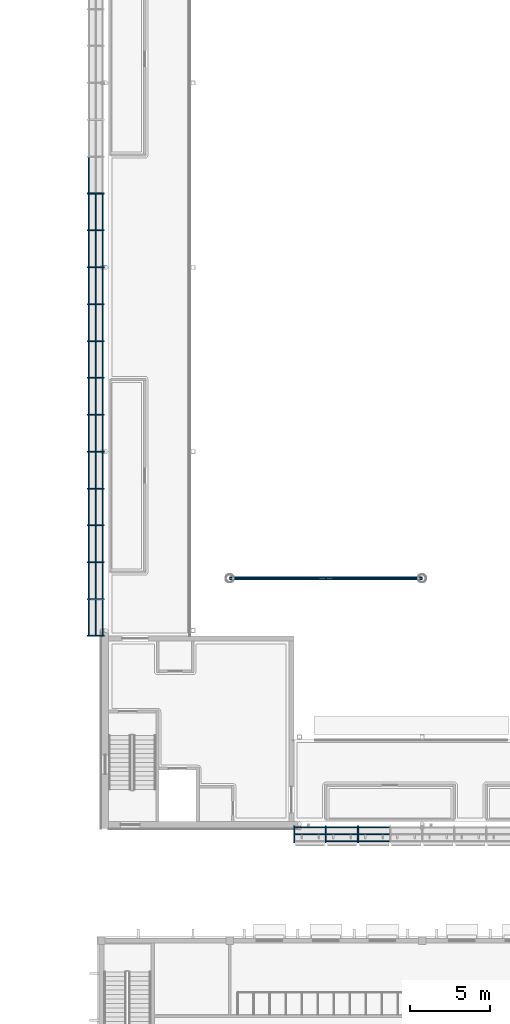
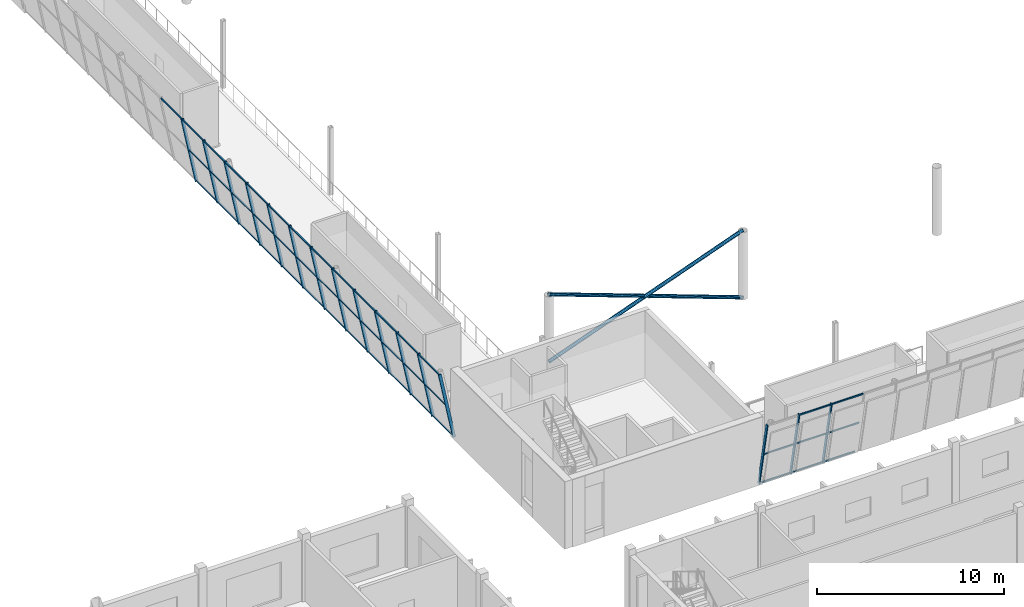
# One storey, part 27 of 115: 64 members, 2 elements without a shape of their own.
"""IFC4 building model written with IfcOpenShell, lengths in metres."""

from ifc_helpers import new_model, si_unit, direction, frame, origin, origin_2d, place, context, subcontext, project, spatial, rectangle, hollow_circle, extrude, material, layer, layer_set, material_profile, profile_set, type_object, element, aggregate, save


model = new_model("IFC4")

# Units and contexts
model_context = context("Model", 3, precision=1e-05, world=origin(), true_north=direction((0.0, 1.0)))
body_context = subcontext(model_context, "Body", "Model", "MODEL_VIEW")
ifc_project = project(units=[si_unit("LENGTHUNIT", "METRE"), si_unit("AREAUNIT", "SQUARE_METRE"), si_unit("VOLUMEUNIT", "CUBIC_METRE"), si_unit("PLANEANGLEUNIT", "RADIAN"), si_unit("MASSUNIT", "GRAM", prefix="KILO")], contexts=[model_context])

# Site, building, storey
site_placement = place(None, origin())
site = spatial("IfcSite", under=ifc_project, at=site_placement, CompositionType="ELEMENT")
building_placement = place(site_placement, origin())
building = spatial("IfcBuilding", under=site, at=building_placement, Name="Windward Yard Aquatics Centre", CompositionType="ELEMENT")
storey_placement = place(building_placement, frame((0.0, 0.0, 5.0)))
storey = spatial("IfcBuildingStorey", under=building, at=storey_placement, Name="L01", CompositionType="ELEMENT", Elevation=5.0)

# Curtain wall, members
ifc_material_1 = material(Name="Glass and aluminium curtain wall", Category="aluminium")
ifc_layer = layer(ifc_material_1, 0.179931640625)
ifc_layer_set = layer_set([ifc_layer], Name="H curtain wall tier 1 double glazed 8+16+8")
curtain_wall_type = type_object("IfcCurtainWallType", Name="H curtain wall tier 1 double glazed 8+16+8", PredefinedType="NOTDEFINED", material=ifc_layer_set)
curtain_wall_1_placement = place(storey_placement, origin())
curtain_wall_1 = element("IfcCurtainWall", 1, at=curtain_wall_1_placement, inside=storey, type_object=curtain_wall_type, Name="Tier 1 glazing S L01", PredefinedType="NOTDEFINED")
ifc_material_2 = material(Name="Aluminium 6063-T6 anodised", Category="aluminium")
ifc_material_profile_1 = material_profile(ifc_material_2, rectangle(XDim=0.06494140625, YDim=0.179931640625, at=origin_2d()), Name="H CW mullion 65x180")
ifc_profile_set_1 = profile_set([ifc_material_profile_1], Name="Aluminium 6063-T6 anodised")
member_type_1 = type_object("IfcMemberType", Name="H CW mullion 65x180", PredefinedType="MULLION", material=ifc_profile_set_1)
member_1_placement = place(storey_placement, frame((64.032470703125, 26.088134765625, 0.017822265625), z_axis=(0.0, -0.199380237329, 0.979922201485), x_axis=(1.0, 0.0, 0.0)))
member_1 = element("IfcMember", 2, at=member_1_placement, type_object=member_type_1, Name="G1SA mullion 1", PredefinedType="MULLION", context=body_context, shape_type="SweptSolid", body=[
    extrude(rectangle(XDim=0.06494140625, YDim=0.179931640625, at=origin_2d()), origin(), (0.0, 0.0, 1.0), 4.471923828125),
])
member_2_placement = place(storey_placement, frame((65.999755859375, 26.088134765625, 0.017822265625), z_axis=(0.0, -0.199380237329, 0.979922201485), x_axis=(1.0, 0.0, 0.0)))
member_2 = element("IfcMember", 3, at=member_2_placement, type_object=member_type_1, Name="G1SA mullion 2", PredefinedType="MULLION", context=body_context, shape_type="SweptSolid", body=[
    extrude(rectangle(XDim=0.06494140625, YDim=0.179931640625, at=origin_2d()), origin(), (0.0, 0.0, 1.0), 4.471923828125),
])
member_3_placement = place(storey_placement, frame((67.99951171875, 26.088134765625, 0.017822265625), z_axis=(0.0, -0.199380237329, 0.979922201485), x_axis=(1.0, 0.0, 0.0)))
member_3 = element("IfcMember", 4, at=member_3_placement, type_object=member_type_1, Name="G1SA mullion 3", PredefinedType="MULLION", context=body_context, shape_type="SweptSolid", body=[
    extrude(rectangle(XDim=0.06494140625, YDim=0.179931640625, at=origin_2d()), origin(), (0.0, 0.0, 1.0), 4.471923828125),
])

curtain_wall_2_placement = place(storey_placement, origin())
curtain_wall_2 = element("IfcCurtainWall", 5, at=curtain_wall_2_placement, inside=storey, type_object=curtain_wall_type, Name="Tier 1 glazing W L01", PredefinedType="NOTDEFINED")
member_4_placement = place(storey_placement, frame((52.088134765625, 38.032470703125, 0.017822265625), z_axis=(-0.199380237329, 0.0, 0.979922201485), x_axis=(0.0, -1.0, 0.0)))
member_4 = element("IfcMember", 6, at=member_4_placement, type_object=member_type_1, Name="G1WA mullion 1", PredefinedType="MULLION", context=body_context, shape_type="SweptSolid", body=[
    extrude(rectangle(XDim=0.06494140625, YDim=0.179931640625, at=origin_2d()), origin(), (0.0, 0.0, 1.0), 4.471923828125),
])
member_5_placement = place(storey_placement, frame((52.088134765625, 40.300048828125, 0.017822265625), z_axis=(-0.199380237329, 0.0, 0.979922201485), x_axis=(0.0, -1.0, 0.0)))
member_5 = element("IfcMember", 7, at=member_5_placement, type_object=member_type_1, Name="G1WA mullion 2", PredefinedType="MULLION", context=body_context, shape_type="SweptSolid", body=[
    extrude(rectangle(XDim=0.06494140625, YDim=0.179931640625, at=origin_2d()), origin(), (0.0, 0.0, 1.0), 4.471923828125),
])
member_6_placement = place(storey_placement, frame((52.088134765625, 42.60009765625, 0.017822265625), z_axis=(-0.199380237329, 0.0, 0.979922201485), x_axis=(0.0, -1.0, 0.0)))
member_6 = element("IfcMember", 8, at=member_6_placement, type_object=member_type_1, Name="G1WA mullion 3", PredefinedType="MULLION", context=body_context, shape_type="SweptSolid", body=[
    extrude(rectangle(XDim=0.06494140625, YDim=0.179931640625, at=origin_2d()), origin(), (0.0, 0.0, 1.0), 4.471923828125),
])
member_7_placement = place(storey_placement, frame((52.088134765625, 44.89990234375, 0.017822265625), z_axis=(-0.199380237329, 0.0, 0.979922201485), x_axis=(0.0, -1.0, 0.0)))
member_7 = element("IfcMember", 9, at=member_7_placement, type_object=member_type_1, Name="G1WA mullion 4", PredefinedType="MULLION", context=body_context, shape_type="SweptSolid", body=[
    extrude(rectangle(XDim=0.06494140625, YDim=0.179931640625, at=origin_2d()), origin(), (0.0, 0.0, 1.0), 4.471923828125),
])
member_8_placement = place(storey_placement, frame((52.088134765625, 47.199951171875, 0.017822265625), z_axis=(-0.199380237329, 0.0, 0.979922201485), x_axis=(0.0, -1.0, 0.0)))
member_8 = element("IfcMember", 10, at=member_8_placement, type_object=member_type_1, Name="G1WA mullion 5", PredefinedType="MULLION", context=body_context, shape_type="SweptSolid", body=[
    extrude(rectangle(XDim=0.06494140625, YDim=0.179931640625, at=origin_2d()), origin(), (0.0, 0.0, 1.0), 4.471923828125),
])
member_9_placement = place(storey_placement, frame((52.088134765625, 49.5, 0.017822265625), z_axis=(-0.199380237329, 0.0, 0.979922201485), x_axis=(0.0, -1.0, 0.0)))
member_9 = element("IfcMember", 11, at=member_9_placement, type_object=member_type_1, Name="G1WA mullion 6", PredefinedType="MULLION", context=body_context, shape_type="SweptSolid", body=[
    extrude(rectangle(XDim=0.06494140625, YDim=0.179931640625, at=origin_2d()), origin(), (0.0, 0.0, 1.0), 4.471923828125),
])
member_10_placement = place(storey_placement, frame((52.088134765625, 51.800048828125, 0.017822265625), z_axis=(-0.199380237329, 0.0, 0.979922201485), x_axis=(0.0, -1.0, 0.0)))
member_10 = element("IfcMember", 12, at=member_10_placement, type_object=member_type_1, Name="G1WA mullion 7", PredefinedType="MULLION", context=body_context, shape_type="SweptSolid", body=[
    extrude(rectangle(XDim=0.06494140625, YDim=0.179931640625, at=origin_2d()), origin(), (0.0, 0.0, 1.0), 4.471923828125),
])
member_11_placement = place(storey_placement, frame((52.088134765625, 54.10009765625, 0.017822265625), z_axis=(-0.199380237329, 0.0, 0.979922201485), x_axis=(0.0, -1.0, 0.0)))
member_11 = element("IfcMember", 13, at=member_11_placement, type_object=member_type_1, Name="G1WA mullion 8", PredefinedType="MULLION", context=body_context, shape_type="SweptSolid", body=[
    extrude(rectangle(XDim=0.06494140625, YDim=0.179931640625, at=origin_2d()), origin(), (0.0, 0.0, 1.0), 4.471923828125),
])
member_12_placement = place(storey_placement, frame((52.088134765625, 56.39990234375, 0.017822265625), z_axis=(-0.199380237329, 0.0, 0.979922201485), x_axis=(0.0, -1.0, 0.0)))
member_12 = element("IfcMember", 14, at=member_12_placement, type_object=member_type_1, Name="G1WA mullion 9", PredefinedType="MULLION", context=body_context, shape_type="SweptSolid", body=[
    extrude(rectangle(XDim=0.06494140625, YDim=0.179931640625, at=origin_2d()), origin(), (0.0, 0.0, 1.0), 4.471923828125),
])
member_13_placement = place(storey_placement, frame((52.088134765625, 58.699951171875, 0.017822265625), z_axis=(-0.199380237329, 0.0, 0.979922201485), x_axis=(0.0, -1.0, 0.0)))
member_13 = element("IfcMember", 15, at=member_13_placement, type_object=member_type_1, Name="G1WA mullion 10", PredefinedType="MULLION", context=body_context, shape_type="SweptSolid", body=[
    extrude(rectangle(XDim=0.06494140625, YDim=0.179931640625, at=origin_2d()), origin(), (0.0, 0.0, 1.0), 4.471923828125),
])
member_14_placement = place(storey_placement, frame((52.088134765625, 61.0, 0.017822265625), z_axis=(-0.199380237329, 0.0, 0.979922201485), x_axis=(0.0, -1.0, 0.0)))
member_14 = element("IfcMember", 16, at=member_14_placement, type_object=member_type_1, Name="G1WA mullion 11", PredefinedType="MULLION", context=body_context, shape_type="SweptSolid", body=[
    extrude(rectangle(XDim=0.06494140625, YDim=0.179931640625, at=origin_2d()), origin(), (0.0, 0.0, 1.0), 4.471923828125),
])
member_15_placement = place(storey_placement, frame((52.088134765625, 63.300048828125, 0.017822265625), z_axis=(-0.199380237329, 0.0, 0.979922201485), x_axis=(0.0, -1.0, 0.0)))
member_15 = element("IfcMember", 17, at=member_15_placement, type_object=member_type_1, Name="G1WA mullion 12", PredefinedType="MULLION", context=body_context, shape_type="SweptSolid", body=[
    extrude(rectangle(XDim=0.06494140625, YDim=0.179931640625, at=origin_2d()), origin(), (0.0, 0.0, 1.0), 4.471923828125),
])
member_16_placement = place(storey_placement, frame((52.088134765625, 65.60009765625, 0.017822265625), z_axis=(-0.199380237329, 0.0, 0.979922201485), x_axis=(0.0, -1.0, 0.0)))
member_16 = element("IfcMember", 18, at=member_16_placement, type_object=member_type_1, Name="G1WA mullion 13", PredefinedType="MULLION", context=body_context, shape_type="SweptSolid", body=[
    extrude(rectangle(XDim=0.06494140625, YDim=0.179931640625, at=origin_2d()), origin(), (0.0, 0.0, 1.0), 4.471923828125),
])

# Member
ifc_material_profile_2 = material_profile(ifc_material_2, rectangle(XDim=0.06494140625, YDim=0.10009765625, at=origin_2d()), Name="H CW transom 65x100")
ifc_profile_set_2 = profile_set([ifc_material_profile_2], Name="Aluminium 6063-T6 anodised")
member_type_2 = type_object("IfcMemberType", Name="H CW transom 65x100", PredefinedType="USERDEFINED", material=ifc_profile_set_2)
member_17_placement = place(storey_placement, frame((64.06494140625, 26.08056640625, 0.055419921875), z_axis=(1.0, 0.0, 0.0), x_axis=(0.0, 0.979924704642, 0.199367934315)))
member_17 = element("IfcMember", 19, at=member_17_placement, type_object=member_type_2, Name="G1SA transom 1.1", ObjectType="TRANSOM", PredefinedType="USERDEFINED", context=body_context, shape_type="SweptSolid", body=[
    extrude(rectangle(XDim=0.06494140625, YDim=0.10009765625, at=origin_2d()), origin(), (0.0, 0.0, 1.0), 1.90234375),
])

member_18_placement = place(storey_placement, frame((64.06494140625, 25.644287109375, 2.199951171875), z_axis=(1.0, 0.0, 0.0), x_axis=(0.0, 0.979924704642, 0.199367934315)))
member_18 = element("IfcMember", 20, at=member_18_placement, type_object=member_type_2, Name="G1SA transom 1.2", ObjectType="TRANSOM", PredefinedType="USERDEFINED", context=body_context, shape_type="SweptSolid", body=[
    extrude(rectangle(XDim=0.06494140625, YDim=0.10009765625, at=origin_2d()), origin(), (0.0, 0.0, 1.0), 1.90234375),
])

member_19_placement = place(storey_placement, frame((66.0322265625, 26.08056640625, 0.055419921875), z_axis=(1.0, 0.0, 0.0), x_axis=(0.0, 0.979924704642, 0.199367934315)))
member_19 = element("IfcMember", 21, at=member_19_placement, type_object=member_type_2, Name="G1SA transom 2.1", ObjectType="TRANSOM", PredefinedType="USERDEFINED", context=body_context, shape_type="SweptSolid", body=[
    extrude(rectangle(XDim=0.06494140625, YDim=0.10009765625, at=origin_2d()), origin(), (0.0, 0.0, 1.0), 1.934814453125),
])

member_20_placement = place(storey_placement, frame((66.0322265625, 25.644287109375, 2.199951171875), z_axis=(1.0, 0.0, 0.0), x_axis=(0.0, 0.979924704642, 0.199367934315)))
member_20 = element("IfcMember", 22, at=member_20_placement, type_object=member_type_2, Name="G1SA transom 2.2", ObjectType="TRANSOM", PredefinedType="USERDEFINED", context=body_context, shape_type="SweptSolid", body=[
    extrude(rectangle(XDim=0.06494140625, YDim=0.10009765625, at=origin_2d()), origin(), (0.0, 0.0, 1.0), 1.934814453125),
])

member_21_placement = place(storey_placement, frame((66.0322265625, 25.20654296875, 4.35107421875), z_axis=(1.0, 0.0, 0.0), x_axis=(0.0, 0.979924704642, 0.199367934315)))
member_21 = element("IfcMember", 23, at=member_21_placement, type_object=member_type_2, Name="G1SA transom 2.3", ObjectType="TRANSOM", PredefinedType="USERDEFINED", context=body_context, shape_type="SweptSolid", body=[
    extrude(rectangle(XDim=0.06494140625, YDim=0.10009765625, at=origin_2d()), origin(), (0.0, 0.0, 1.0), 1.934814453125),
])

member_22_placement = place(storey_placement, frame((68.031982421875, 26.08056640625, 0.055419921875), z_axis=(1.0, 0.0, 0.0), x_axis=(0.0, 0.979924704642, 0.199367934315)))
member_22 = element("IfcMember", 24, at=member_22_placement, type_object=member_type_2, Name="G1SA transom 3.1", ObjectType="TRANSOM", PredefinedType="USERDEFINED", context=body_context, shape_type="SweptSolid", body=[
    extrude(rectangle(XDim=0.06494140625, YDim=0.10009765625, at=origin_2d()), origin(), (0.0, 0.0, 1.0), 1.934814453125),
])

member_23_placement = place(storey_placement, frame((68.031982421875, 25.644287109375, 2.199951171875), z_axis=(1.0, 0.0, 0.0), x_axis=(0.0, 0.979924704642, 0.199367934315)))
member_23 = element("IfcMember", 25, at=member_23_placement, type_object=member_type_2, Name="G1SA transom 3.2", ObjectType="TRANSOM", PredefinedType="USERDEFINED", context=body_context, shape_type="SweptSolid", body=[
    extrude(rectangle(XDim=0.06494140625, YDim=0.10009765625, at=origin_2d()), origin(), (0.0, 0.0, 1.0), 1.934814453125),
])

member_24_placement = place(storey_placement, frame((68.031982421875, 25.20654296875, 4.35107421875), z_axis=(1.0, 0.0, 0.0), x_axis=(0.0, 0.979924704642, 0.199367934315)))
member_24 = element("IfcMember", 26, at=member_24_placement, type_object=member_type_2, Name="G1SA transom 3.3", ObjectType="TRANSOM", PredefinedType="USERDEFINED", context=body_context, shape_type="SweptSolid", body=[
    extrude(rectangle(XDim=0.06494140625, YDim=0.10009765625, at=origin_2d()), origin(), (0.0, 0.0, 1.0), 1.934814453125),
])

aggregate(curtain_wall_1, [member_1, member_2, member_3, member_17, member_18, member_19, member_20, member_21, member_22, member_23, member_24])

member_25_placement = place(storey_placement, frame((52.08056640625, 38.06494140625, 0.055419921875), z_axis=(0.0, 1.0, 0.0), x_axis=(0.979924704642, 0.0, 0.199367934315)))
member_25 = element("IfcMember", 27, at=member_25_placement, type_object=member_type_2, Name="G1WA transom 1.1", ObjectType="TRANSOM", PredefinedType="USERDEFINED", context=body_context, shape_type="SweptSolid", body=[
    extrude(rectangle(XDim=0.06494140625, YDim=0.10009765625, at=origin_2d()), origin(), (0.0, 0.0, 1.0), 2.20263671875),
])

member_26_placement = place(storey_placement, frame((51.644287109375, 38.06494140625, 2.199951171875), z_axis=(0.0, 1.0, 0.0), x_axis=(0.979924704642, 0.0, 0.199367934315)))
member_26 = element("IfcMember", 28, at=member_26_placement, type_object=member_type_2, Name="G1WA transom 1.2", ObjectType="TRANSOM", PredefinedType="USERDEFINED", context=body_context, shape_type="SweptSolid", body=[
    extrude(rectangle(XDim=0.06494140625, YDim=0.10009765625, at=origin_2d()), origin(), (0.0, 0.0, 1.0), 2.20263671875),
])

member_27_placement = place(storey_placement, frame((51.20654296875, 38.06494140625, 4.35107421875), z_axis=(0.0, 1.0, 0.0), x_axis=(0.979924704642, 0.0, 0.199367934315)))
member_27 = element("IfcMember", 29, at=member_27_placement, type_object=member_type_2, Name="G1WA transom 1.3", ObjectType="TRANSOM", PredefinedType="USERDEFINED", context=body_context, shape_type="SweptSolid", body=[
    extrude(rectangle(XDim=0.06494140625, YDim=0.10009765625, at=origin_2d()), origin(), (0.0, 0.0, 1.0), 2.20263671875),
])

member_28_placement = place(storey_placement, frame((52.08056640625, 40.33251953125, 0.055419921875), z_axis=(0.0, 1.0, 0.0), x_axis=(0.979924704642, 0.0, 0.199367934315)))
member_28 = element("IfcMember", 30, at=member_28_placement, type_object=member_type_2, Name="G1WA transom 2.1", ObjectType="TRANSOM", PredefinedType="USERDEFINED", context=body_context, shape_type="SweptSolid", body=[
    extrude(rectangle(XDim=0.06494140625, YDim=0.10009765625, at=origin_2d()), origin(), (0.0, 0.0, 1.0), 2.23486328125),
])

member_29_placement = place(storey_placement, frame((51.644287109375, 40.33251953125, 2.199951171875), z_axis=(0.0, 1.0, 0.0), x_axis=(0.979924704642, 0.0, 0.199367934315)))
member_29 = element("IfcMember", 31, at=member_29_placement, type_object=member_type_2, Name="G1WA transom 2.2", ObjectType="TRANSOM", PredefinedType="USERDEFINED", context=body_context, shape_type="SweptSolid", body=[
    extrude(rectangle(XDim=0.06494140625, YDim=0.10009765625, at=origin_2d()), origin(), (0.0, 0.0, 1.0), 2.23486328125),
])

member_30_placement = place(storey_placement, frame((51.20654296875, 40.33251953125, 4.35107421875), z_axis=(0.0, 1.0, 0.0), x_axis=(0.979924704642, 0.0, 0.199367934315)))
member_30 = element("IfcMember", 32, at=member_30_placement, type_object=member_type_2, Name="G1WA transom 2.3", ObjectType="TRANSOM", PredefinedType="USERDEFINED", context=body_context, shape_type="SweptSolid", body=[
    extrude(rectangle(XDim=0.06494140625, YDim=0.10009765625, at=origin_2d()), origin(), (0.0, 0.0, 1.0), 2.23486328125),
])

member_31_placement = place(storey_placement, frame((52.08056640625, 42.632568359375, 0.055419921875), z_axis=(0.0, 1.0, 0.0), x_axis=(0.979924704642, 0.0, 0.199367934315)))
member_31 = element("IfcMember", 33, at=member_31_placement, type_object=member_type_2, Name="G1WA transom 3.1", ObjectType="TRANSOM", PredefinedType="USERDEFINED", context=body_context, shape_type="SweptSolid", body=[
    extrude(rectangle(XDim=0.06494140625, YDim=0.10009765625, at=origin_2d()), origin(), (0.0, 0.0, 1.0), 2.23486328125),
])

member_32_placement = place(storey_placement, frame((51.644287109375, 42.632568359375, 2.199951171875), z_axis=(0.0, 1.0, 0.0), x_axis=(0.979924704642, 0.0, 0.199367934315)))
member_32 = element("IfcMember", 34, at=member_32_placement, type_object=member_type_2, Name="G1WA transom 3.2", ObjectType="TRANSOM", PredefinedType="USERDEFINED", context=body_context, shape_type="SweptSolid", body=[
    extrude(rectangle(XDim=0.06494140625, YDim=0.10009765625, at=origin_2d()), origin(), (0.0, 0.0, 1.0), 2.23486328125),
])

member_33_placement = place(storey_placement, frame((51.20654296875, 42.632568359375, 4.35107421875), z_axis=(0.0, 1.0, 0.0), x_axis=(0.979924704642, 0.0, 0.199367934315)))
member_33 = element("IfcMember", 35, at=member_33_placement, type_object=member_type_2, Name="G1WA transom 3.3", ObjectType="TRANSOM", PredefinedType="USERDEFINED", context=body_context, shape_type="SweptSolid", body=[
    extrude(rectangle(XDim=0.06494140625, YDim=0.10009765625, at=origin_2d()), origin(), (0.0, 0.0, 1.0), 2.23486328125),
])

member_34_placement = place(storey_placement, frame((52.08056640625, 44.9326171875, 0.055419921875), z_axis=(0.0, 1.0, 0.0), x_axis=(0.979924704642, 0.0, 0.199367934315)))
member_34 = element("IfcMember", 36, at=member_34_placement, type_object=member_type_2, Name="G1WA transom 4.1", ObjectType="TRANSOM", PredefinedType="USERDEFINED", context=body_context, shape_type="SweptSolid", body=[
    extrude(rectangle(XDim=0.06494140625, YDim=0.10009765625, at=origin_2d()), origin(), (0.0, 0.0, 1.0), 2.23486328125),
])

member_35_placement = place(storey_placement, frame((51.644287109375, 44.9326171875, 2.199951171875), z_axis=(0.0, 1.0, 0.0), x_axis=(0.979924704642, 0.0, 0.199367934315)))
member_35 = element("IfcMember", 37, at=member_35_placement, type_object=member_type_2, Name="G1WA transom 4.2", ObjectType="TRANSOM", PredefinedType="USERDEFINED", context=body_context, shape_type="SweptSolid", body=[
    extrude(rectangle(XDim=0.06494140625, YDim=0.10009765625, at=origin_2d()), origin(), (0.0, 0.0, 1.0), 2.23486328125),
])

member_36_placement = place(storey_placement, frame((51.20654296875, 44.9326171875, 4.35107421875), z_axis=(0.0, 1.0, 0.0), x_axis=(0.979924704642, 0.0, 0.199367934315)))
member_36 = element("IfcMember", 38, at=member_36_placement, type_object=member_type_2, Name="G1WA transom 4.3", ObjectType="TRANSOM", PredefinedType="USERDEFINED", context=body_context, shape_type="SweptSolid", body=[
    extrude(rectangle(XDim=0.06494140625, YDim=0.10009765625, at=origin_2d()), origin(), (0.0, 0.0, 1.0), 2.23486328125),
])

member_37_placement = place(storey_placement, frame((52.08056640625, 47.232421875, 0.055419921875), z_axis=(0.0, 1.0, 0.0), x_axis=(0.979924704642, 0.0, 0.199367934315)))
member_37 = element("IfcMember", 39, at=member_37_placement, type_object=member_type_2, Name="G1WA transom 5.1", ObjectType="TRANSOM", PredefinedType="USERDEFINED", context=body_context, shape_type="SweptSolid", body=[
    extrude(rectangle(XDim=0.06494140625, YDim=0.10009765625, at=origin_2d()), origin(), (0.0, 0.0, 1.0), 2.235107421875),
])

member_38_placement = place(storey_placement, frame((51.644287109375, 47.232421875, 2.199951171875), z_axis=(0.0, 1.0, 0.0), x_axis=(0.979924704642, 0.0, 0.199367934315)))
member_38 = element("IfcMember", 40, at=member_38_placement, type_object=member_type_2, Name="G1WA transom 5.2", ObjectType="TRANSOM", PredefinedType="USERDEFINED", context=body_context, shape_type="SweptSolid", body=[
    extrude(rectangle(XDim=0.06494140625, YDim=0.10009765625, at=origin_2d()), origin(), (0.0, 0.0, 1.0), 2.235107421875),
])

member_39_placement = place(storey_placement, frame((51.20654296875, 47.232421875, 4.35107421875), z_axis=(0.0, 1.0, 0.0), x_axis=(0.979924704642, 0.0, 0.199367934315)))
member_39 = element("IfcMember", 41, at=member_39_placement, type_object=member_type_2, Name="G1WA transom 5.3", ObjectType="TRANSOM", PredefinedType="USERDEFINED", context=body_context, shape_type="SweptSolid", body=[
    extrude(rectangle(XDim=0.06494140625, YDim=0.10009765625, at=origin_2d()), origin(), (0.0, 0.0, 1.0), 2.235107421875),
])

member_40_placement = place(storey_placement, frame((52.08056640625, 49.532470703125, 0.055419921875), z_axis=(0.0, 1.0, 0.0), x_axis=(0.979924704642, 0.0, 0.199367934315)))
member_40 = element("IfcMember", 42, at=member_40_placement, type_object=member_type_2, Name="G1WA transom 6.1", ObjectType="TRANSOM", PredefinedType="USERDEFINED", context=body_context, shape_type="SweptSolid", body=[
    extrude(rectangle(XDim=0.06494140625, YDim=0.10009765625, at=origin_2d()), origin(), (0.0, 0.0, 1.0), 2.235107421875),
])

member_41_placement = place(storey_placement, frame((51.644287109375, 49.532470703125, 2.199951171875), z_axis=(0.0, 1.0, 0.0), x_axis=(0.979924704642, 0.0, 0.199367934315)))
member_41 = element("IfcMember", 43, at=member_41_placement, type_object=member_type_2, Name="G1WA transom 6.2", ObjectType="TRANSOM", PredefinedType="USERDEFINED", context=body_context, shape_type="SweptSolid", body=[
    extrude(rectangle(XDim=0.06494140625, YDim=0.10009765625, at=origin_2d()), origin(), (0.0, 0.0, 1.0), 2.235107421875),
])

member_42_placement = place(storey_placement, frame((51.20654296875, 49.532470703125, 4.35107421875), z_axis=(0.0, 1.0, 0.0), x_axis=(0.979924704642, 0.0, 0.199367934315)))
member_42 = element("IfcMember", 44, at=member_42_placement, type_object=member_type_2, Name="G1WA transom 6.3", ObjectType="TRANSOM", PredefinedType="USERDEFINED", context=body_context, shape_type="SweptSolid", body=[
    extrude(rectangle(XDim=0.06494140625, YDim=0.10009765625, at=origin_2d()), origin(), (0.0, 0.0, 1.0), 2.235107421875),
])

member_43_placement = place(storey_placement, frame((52.08056640625, 51.83251953125, 0.055419921875), z_axis=(0.0, 1.0, 0.0), x_axis=(0.979924704642, 0.0, 0.199367934315)))
member_43 = element("IfcMember", 45, at=member_43_placement, type_object=member_type_2, Name="G1WA transom 7.1", ObjectType="TRANSOM", PredefinedType="USERDEFINED", context=body_context, shape_type="SweptSolid", body=[
    extrude(rectangle(XDim=0.06494140625, YDim=0.10009765625, at=origin_2d()), origin(), (0.0, 0.0, 1.0), 2.23486328125),
])

member_44_placement = place(storey_placement, frame((51.644287109375, 51.83251953125, 2.199951171875), z_axis=(0.0, 1.0, 0.0), x_axis=(0.979924704642, 0.0, 0.199367934315)))
member_44 = element("IfcMember", 46, at=member_44_placement, type_object=member_type_2, Name="G1WA transom 7.2", ObjectType="TRANSOM", PredefinedType="USERDEFINED", context=body_context, shape_type="SweptSolid", body=[
    extrude(rectangle(XDim=0.06494140625, YDim=0.10009765625, at=origin_2d()), origin(), (0.0, 0.0, 1.0), 2.23486328125),
])

member_45_placement = place(storey_placement, frame((51.20654296875, 51.83251953125, 4.35107421875), z_axis=(0.0, 1.0, 0.0), x_axis=(0.979924704642, 0.0, 0.199367934315)))
member_45 = element("IfcMember", 47, at=member_45_placement, type_object=member_type_2, Name="G1WA transom 7.3", ObjectType="TRANSOM", PredefinedType="USERDEFINED", context=body_context, shape_type="SweptSolid", body=[
    extrude(rectangle(XDim=0.06494140625, YDim=0.10009765625, at=origin_2d()), origin(), (0.0, 0.0, 1.0), 2.23486328125),
])

member_46_placement = place(storey_placement, frame((52.08056640625, 54.132568359375, 0.055419921875), z_axis=(0.0, 1.0, 0.0), x_axis=(0.979924704642, 0.0, 0.199367934315)))
member_46 = element("IfcMember", 48, at=member_46_placement, type_object=member_type_2, Name="G1WA transom 8.1", ObjectType="TRANSOM", PredefinedType="USERDEFINED", context=body_context, shape_type="SweptSolid", body=[
    extrude(rectangle(XDim=0.06494140625, YDim=0.10009765625, at=origin_2d()), origin(), (0.0, 0.0, 1.0), 2.23486328125),
])

member_47_placement = place(storey_placement, frame((51.644287109375, 54.132568359375, 2.199951171875), z_axis=(0.0, 1.0, 0.0), x_axis=(0.979924704642, 0.0, 0.199367934315)))
member_47 = element("IfcMember", 49, at=member_47_placement, type_object=member_type_2, Name="G1WA transom 8.2", ObjectType="TRANSOM", PredefinedType="USERDEFINED", context=body_context, shape_type="SweptSolid", body=[
    extrude(rectangle(XDim=0.06494140625, YDim=0.10009765625, at=origin_2d()), origin(), (0.0, 0.0, 1.0), 2.23486328125),
])

member_48_placement = place(storey_placement, frame((51.20654296875, 54.132568359375, 4.35107421875), z_axis=(0.0, 1.0, 0.0), x_axis=(0.979924704642, 0.0, 0.199367934315)))
member_48 = element("IfcMember", 50, at=member_48_placement, type_object=member_type_2, Name="G1WA transom 8.3", ObjectType="TRANSOM", PredefinedType="USERDEFINED", context=body_context, shape_type="SweptSolid", body=[
    extrude(rectangle(XDim=0.06494140625, YDim=0.10009765625, at=origin_2d()), origin(), (0.0, 0.0, 1.0), 2.23486328125),
])

member_49_placement = place(storey_placement, frame((52.08056640625, 56.4326171875, 0.055419921875), z_axis=(0.0, 1.0, 0.0), x_axis=(0.979924704642, 0.0, 0.199367934315)))
member_49 = element("IfcMember", 51, at=member_49_placement, type_object=member_type_2, Name="G1WA transom 9.1", ObjectType="TRANSOM", PredefinedType="USERDEFINED", context=body_context, shape_type="SweptSolid", body=[
    extrude(rectangle(XDim=0.06494140625, YDim=0.10009765625, at=origin_2d()), origin(), (0.0, 0.0, 1.0), 2.23486328125),
])

member_50_placement = place(storey_placement, frame((51.644287109375, 56.4326171875, 2.199951171875), z_axis=(0.0, 1.0, 0.0), x_axis=(0.979924704642, 0.0, 0.199367934315)))
member_50 = element("IfcMember", 52, at=member_50_placement, type_object=member_type_2, Name="G1WA transom 9.2", ObjectType="TRANSOM", PredefinedType="USERDEFINED", context=body_context, shape_type="SweptSolid", body=[
    extrude(rectangle(XDim=0.06494140625, YDim=0.10009765625, at=origin_2d()), origin(), (0.0, 0.0, 1.0), 2.23486328125),
])

member_51_placement = place(storey_placement, frame((51.20654296875, 56.4326171875, 4.35107421875), z_axis=(0.0, 1.0, 0.0), x_axis=(0.979924704642, 0.0, 0.199367934315)))
member_51 = element("IfcMember", 53, at=member_51_placement, type_object=member_type_2, Name="G1WA transom 9.3", ObjectType="TRANSOM", PredefinedType="USERDEFINED", context=body_context, shape_type="SweptSolid", body=[
    extrude(rectangle(XDim=0.06494140625, YDim=0.10009765625, at=origin_2d()), origin(), (0.0, 0.0, 1.0), 2.23486328125),
])

member_52_placement = place(storey_placement, frame((52.08056640625, 58.732421875, 0.055419921875), z_axis=(0.0, 1.0, 0.0), x_axis=(0.979924704642, 0.0, 0.199367934315)))
member_52 = element("IfcMember", 54, at=member_52_placement, type_object=member_type_2, Name="G1WA transom 10.1", ObjectType="TRANSOM", PredefinedType="USERDEFINED", context=body_context, shape_type="SweptSolid", body=[
    extrude(rectangle(XDim=0.06494140625, YDim=0.10009765625, at=origin_2d()), origin(), (0.0, 0.0, 1.0), 2.235107421875),
])

member_53_placement = place(storey_placement, frame((51.644287109375, 58.732421875, 2.199951171875), z_axis=(0.0, 1.0, 0.0), x_axis=(0.979924704642, 0.0, 0.199367934315)))
member_53 = element("IfcMember", 55, at=member_53_placement, type_object=member_type_2, Name="G1WA transom 10.2", ObjectType="TRANSOM", PredefinedType="USERDEFINED", context=body_context, shape_type="SweptSolid", body=[
    extrude(rectangle(XDim=0.06494140625, YDim=0.10009765625, at=origin_2d()), origin(), (0.0, 0.0, 1.0), 2.235107421875),
])

member_54_placement = place(storey_placement, frame((51.20654296875, 58.732421875, 4.35107421875), z_axis=(0.0, 1.0, 0.0), x_axis=(0.979924704642, 0.0, 0.199367934315)))
member_54 = element("IfcMember", 56, at=member_54_placement, type_object=member_type_2, Name="G1WA transom 10.3", ObjectType="TRANSOM", PredefinedType="USERDEFINED", context=body_context, shape_type="SweptSolid", body=[
    extrude(rectangle(XDim=0.06494140625, YDim=0.10009765625, at=origin_2d()), origin(), (0.0, 0.0, 1.0), 2.235107421875),
])

member_55_placement = place(storey_placement, frame((52.08056640625, 61.032470703125, 0.055419921875), z_axis=(0.0, 1.0, 0.0), x_axis=(0.979924704642, 0.0, 0.199367934315)))
member_55 = element("IfcMember", 57, at=member_55_placement, type_object=member_type_2, Name="G1WA transom 11.1", ObjectType="TRANSOM", PredefinedType="USERDEFINED", context=body_context, shape_type="SweptSolid", body=[
    extrude(rectangle(XDim=0.06494140625, YDim=0.10009765625, at=origin_2d()), origin(), (0.0, 0.0, 1.0), 2.235107421875),
])

member_56_placement = place(storey_placement, frame((51.644287109375, 61.032470703125, 2.199951171875), z_axis=(0.0, 1.0, 0.0), x_axis=(0.979924704642, 0.0, 0.199367934315)))
member_56 = element("IfcMember", 58, at=member_56_placement, type_object=member_type_2, Name="G1WA transom 11.2", ObjectType="TRANSOM", PredefinedType="USERDEFINED", context=body_context, shape_type="SweptSolid", body=[
    extrude(rectangle(XDim=0.06494140625, YDim=0.10009765625, at=origin_2d()), origin(), (0.0, 0.0, 1.0), 2.235107421875),
])

member_57_placement = place(storey_placement, frame((51.20654296875, 61.032470703125, 4.35107421875), z_axis=(0.0, 1.0, 0.0), x_axis=(0.979924704642, 0.0, 0.199367934315)))
member_57 = element("IfcMember", 59, at=member_57_placement, type_object=member_type_2, Name="G1WA transom 11.3", ObjectType="TRANSOM", PredefinedType="USERDEFINED", context=body_context, shape_type="SweptSolid", body=[
    extrude(rectangle(XDim=0.06494140625, YDim=0.10009765625, at=origin_2d()), origin(), (0.0, 0.0, 1.0), 2.235107421875),
])

member_58_placement = place(storey_placement, frame((52.08056640625, 63.33251953125, 0.055419921875), z_axis=(0.0, 1.0, 0.0), x_axis=(0.979924704642, 0.0, 0.199367934315)))
member_58 = element("IfcMember", 60, at=member_58_placement, type_object=member_type_2, Name="G1WA transom 12.1", ObjectType="TRANSOM", PredefinedType="USERDEFINED", context=body_context, shape_type="SweptSolid", body=[
    extrude(rectangle(XDim=0.06494140625, YDim=0.10009765625, at=origin_2d()), origin(), (0.0, 0.0, 1.0), 2.23486328125),
])

member_59_placement = place(storey_placement, frame((51.644287109375, 63.33251953125, 2.199951171875), z_axis=(0.0, 1.0, 0.0), x_axis=(0.979924704642, 0.0, 0.199367934315)))
member_59 = element("IfcMember", 61, at=member_59_placement, type_object=member_type_2, Name="G1WA transom 12.2", ObjectType="TRANSOM", PredefinedType="USERDEFINED", context=body_context, shape_type="SweptSolid", body=[
    extrude(rectangle(XDim=0.06494140625, YDim=0.10009765625, at=origin_2d()), origin(), (0.0, 0.0, 1.0), 2.23486328125),
])

member_60_placement = place(storey_placement, frame((51.20654296875, 63.33251953125, 4.35107421875), z_axis=(0.0, 1.0, 0.0), x_axis=(0.979924704642, 0.0, 0.199367934315)))
member_60 = element("IfcMember", 62, at=member_60_placement, type_object=member_type_2, Name="G1WA transom 12.3", ObjectType="TRANSOM", PredefinedType="USERDEFINED", context=body_context, shape_type="SweptSolid", body=[
    extrude(rectangle(XDim=0.06494140625, YDim=0.10009765625, at=origin_2d()), origin(), (0.0, 0.0, 1.0), 2.23486328125),
])

member_61_placement = place(storey_placement, frame((51.20654296875, 65.632568359375, 4.35107421875), z_axis=(0.0, 1.0, 0.0), x_axis=(0.979924704642, 0.0, 0.199367934315)))
member_61 = element("IfcMember", 63, at=member_61_placement, type_object=member_type_2, Name="G1WA transom 13.3", ObjectType="TRANSOM", PredefinedType="USERDEFINED", context=body_context, shape_type="SweptSolid", body=[
    extrude(rectangle(XDim=0.06494140625, YDim=0.10009765625, at=origin_2d()), origin(), (0.0, 0.0, 1.0), 2.23486328125),
])

aggregate(curtain_wall_2, [member_4, member_5, member_6, member_7, member_8, member_9, member_10, member_11, member_12, member_13, member_14, member_15, member_16, member_25, member_26, member_27, member_28, member_29, member_30, member_31, member_32, member_33, member_34, member_35, member_36, member_37, member_38, member_39, member_40, member_41, member_42, member_43, member_44, member_45, member_46, member_47, member_48, member_49, member_50, member_51, member_52, member_53, member_54, member_55, member_56, member_57, member_58, member_59, member_60, member_61])

# Members
ifc_material_3 = material(Name="Steel ASTM A500 Gr C", Category="steel")
ifc_material_profile_3 = material_profile(ifc_material_3, hollow_circle(Radius=0.109619140625, WallThickness=0.0126953125, at=origin_2d()), Name="HSS219.1X12.7")
ifc_profile_set_3 = profile_set([ifc_material_profile_3], Name="Steel ASTM A500 Gr C")
member_type_3 = type_object("IfcMemberType", Name="H column brace HSS219.1X12.7", PredefinedType="BRACE", material=ifc_profile_set_3)
member_62_placement = place(storey_placement, frame((60.0, 41.60009765625, 0.0), z_axis=(0.938878785405, 0.0, 0.344247914033), x_axis=(0.0, 1.0, 0.0)))
element("IfcMember", 64, at=member_62_placement, inside=storey, type_object=member_type_3, Name="H.VB.S1.L01.A", PredefinedType="BRACE", context=body_context, shape_type="SweptSolid", body=[
    extrude(hollow_circle(Radius=0.109619140625, WallThickness=0.0126953125, at=origin_2d()), origin(), (0.0, 0.0, 1.0), 12.78125),
])
for number, where, z_axis, x_axis, name in (
    (65, (60.0, 41.60009765625, 4.39990234375), (0.938880951774, 0.0, -0.344242005567), (0.0, 1.0, 0.0), "H.VB.S1.L01.B1"),
    (66, (66.140380859375, 41.60009765625, 2.1484375), (0.938880951774, 0.0, -0.344242005567), (0.0, 1.0, 0.0), "H.VB.S1.L01.B2"),
):
    element("IfcMember", number, at=place(storey_placement, frame(where, z_axis=z_axis, x_axis=x_axis)), inside=storey, type_object=member_type_3, Name=name, PredefinedType="BRACE", context=body_context, shape_type="SweptSolid", body=[
        extrude(hollow_circle(Radius=0.109619140625, WallThickness=0.0126953125, at=origin_2d()), origin(), (0.0, 0.0, 1.0), 6.240966796875),
    ])

save(model, "model.ifc")
